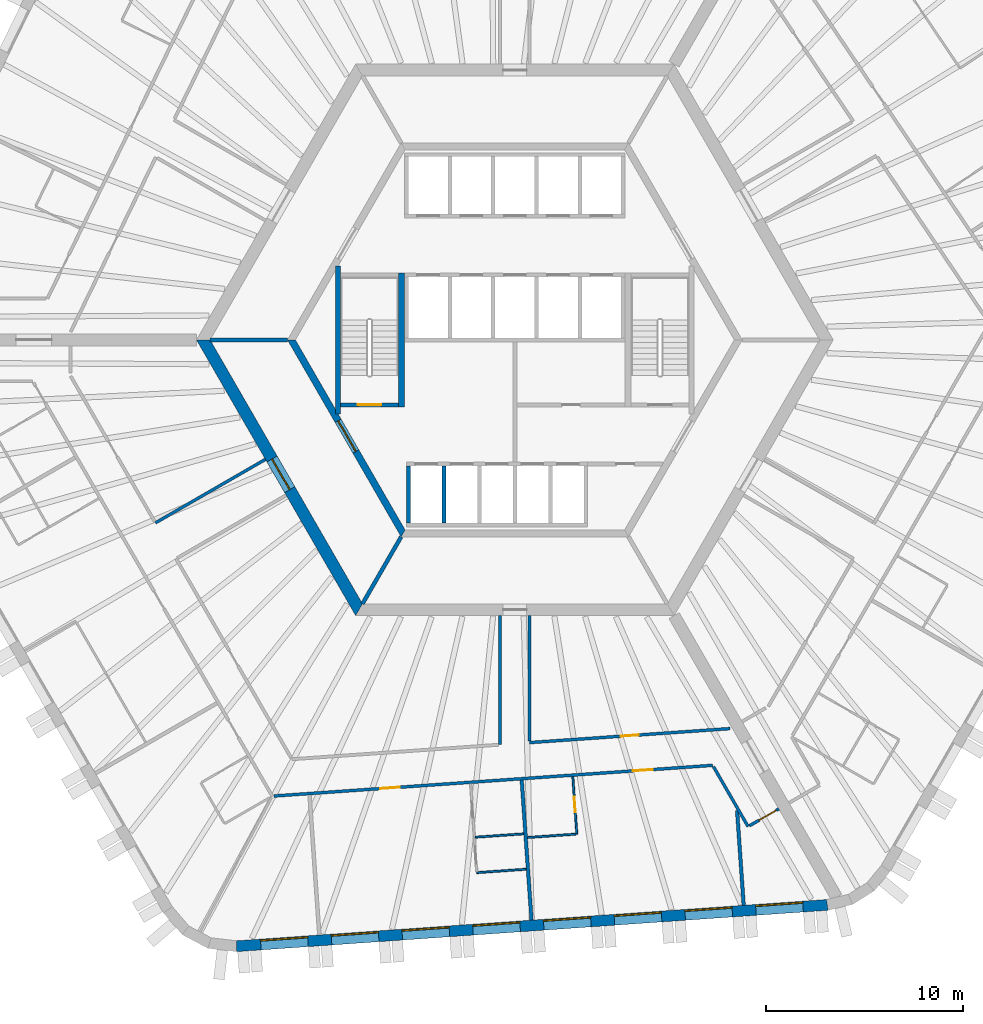
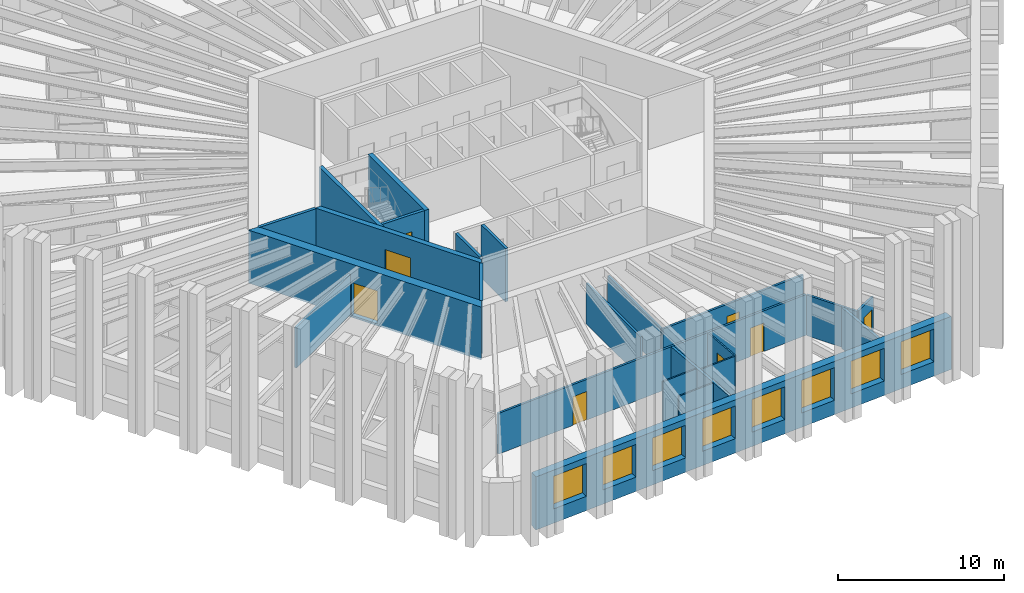
# One storey, part 4 of 12: 23 walls, 8 doors, 8 windows, 16 openings.
"""IFC4 building model written with IfcOpenShell, lengths in metres."""

from ifc_helpers import new_model, si_unit, direction, frame, frame_2d, origin, place, context, subcontext, project, spatial, polyline, rectangle, outline, extrude, material, layer, layer_set, type_object, element, fill, save


model = new_model("IFC4")

# Units and contexts
model_context = context("Model", 3, precision=1e-05, world=origin(), true_north=direction((0.0, 1.0)))
body_context = subcontext(model_context, "Body", "Model", "MODEL_VIEW")
ifc_project = project(units=[si_unit("LENGTHUNIT", "METRE"), si_unit("AREAUNIT", "SQUARE_METRE"), si_unit("VOLUMEUNIT", "CUBIC_METRE"), si_unit("PLANEANGLEUNIT", "RADIAN"), si_unit("MASSUNIT", "GRAM", prefix="KILO")], contexts=[model_context])

# Site, building, storey
site_placement = place(None, origin())
site = spatial("IfcSite", under=ifc_project, at=site_placement, CompositionType="ELEMENT")
building_placement = place(site_placement, origin())
building = spatial("IfcBuilding", under=site, at=building_placement, Name="Tarnside Tower", CompositionType="ELEMENT")
storey_placement = place(building_placement, frame((0.0, 0.0, 99.89990234375)))
storey = spatial("IfcBuildingStorey", under=building, at=storey_placement, Name="L22", CompositionType="ELEMENT", Elevation=99.89990234375)

# Wall
ifc_material_1 = material(Name="Gypsum board partition on steel studs", Category="steel")
ifc_layer_1 = layer(ifc_material_1, 0.10009765625)
ifc_layer_set_1 = layer_set([ifc_layer_1], Name="Bathroom wall 100")
wall_type_1 = type_object("IfcWallType", Name="Bathroom wall 100", PredefinedType="PARTITIONING", material=ifc_layer_set_1)
wall_1_placement = place(storey_placement, frame((-2.004638671875, -25.251220703125, 0.0), z_axis=(0.0, 0.0, 1.0), x_axis=(0.997570291305, 0.069667165191, 0.0)))
element("IfcWall", 1, at=wall_1_placement, inside=storey, type_object=wall_type_1, Name="Bathroom wall 07124", PredefinedType="PARTITIONING", context=body_context, shape_type="SweptSolid", body=[
    extrude(rectangle(XDim=2.4599609375, YDim=0.10009765625, at=frame_2d((1.22998046875, 0.0))), origin(), (0.0, 0.0, 1.0), 2.98779296875),
])

# Wall, opening, door
wall_2_placement = place(storey_placement, frame((2.94287109375, -22.173828125, 0.0), z_axis=(0.0, 0.0, 1.0), x_axis=(0.069781781132, -0.997562280272, 0.0)))
wall_2 = element("IfcWall", 2, at=wall_2_placement, inside=storey, type_object=wall_type_1, Name="Bathroom wall 07128", PredefinedType="PARTITIONING", context=body_context, shape_type="SweptSolid", body=[
    extrude(rectangle(XDim=2.9248046875, YDim=0.10009765625, at=frame_2d((1.46240234375, 0.0))), origin(), (0.0, 0.0, 1.0), 2.98779296875),
])
opening_1_placement = place(wall_2_placement, frame((1.02490234375, 0.0, 0.0)))
opening_1 = element("IfcOpeningElement", 3, at=opening_1_placement, cuts=wall_2, Name="Opening D-B1", PredefinedType="OPENING", context=body_context, shape_type="SweptSolid", body=[
    extrude(rectangle(XDim=0.800048828125, YDim=2.10009765625, at=frame_2d((0.39990234375, 1.050048828125))), frame((0.0, 0.06005859375, 0.0), z_axis=(0.0, -1.0, 0.0), x_axis=(1.0, 0.0, 0.0)), (0.0, 0.0, 1.0), 0.1201171875),
])
ifc_material_2 = material(Name="Timber door leaf", Category="wood")
door_type_1 = type_object("IfcDoorType", Name="Bathroom door 800", OperationType="NOTDEFINED", PredefinedType="DOOR", material=ifc_material_2)
door_1_placement = place(opening_1_placement, origin())
door_1 = element("IfcDoor", 4, at=door_1_placement, inside=storey, type_object=door_type_1, Name="Bathroom door 07027", OperationType="SINGLE_SWING_RIGHT", OverallHeight=2.10009765625, OverallWidth=0.800048828125, PredefinedType="DOOR", context=body_context, shape_type="SweptSolid", body=[
    extrude(rectangle(XDim=0.800048828125, YDim=2.10009765625, at=frame_2d((0.39990234375, 1.050048828125))), frame((0.0, 0.02490234375, 0.0), z_axis=(0.0, -1.0, 0.0), x_axis=(1.0, 0.0, 0.0)), (0.0, 0.0, 1.0), 0.050048828125),
])
fill(opening_1, door_1)

# Wall
wall_3_placement = place(storey_placement, frame((3.096923828125, -25.094970703125, 0.0), z_axis=(0.0, 0.0, 1.0), x_axis=(-0.997562906323, -0.069772830877, 0.0)))
element("IfcWall", 5, at=wall_3_placement, inside=storey, type_object=wall_type_1, Name="Bathroom wall 07129", PredefinedType="PARTITIONING", context=body_context, shape_type="SweptSolid", body=[
    extrude(rectangle(XDim=2.4599609375, YDim=0.10009765625, at=frame_2d((1.22998046875, 0.0))), origin(), (0.0, 0.0, 1.0), 2.98779296875),
])

# Wall, opening, door
ifc_material_3 = material(Name="Concrete C50/60", Category="concrete")
ifc_layer_2 = layer(ifc_material_3, 0.35009765625)
ifc_layer_set_2 = layer_set([ifc_layer_2], Name="Core block wall 350 C50/60")
wall_type_2 = type_object("IfcWallType", Name="Core block wall 350 C50/60", PredefinedType="SHEAR", material=ifc_layer_set_2)
wall_4_placement = place(storey_placement, frame((-11.344970703125, 0.0, -0.14990234375), z_axis=(0.0, 0.0, 1.0), x_axis=(0.499995046907, -0.866028263435, 0.0)))
wall_4 = element("IfcWall", 6, at=wall_4_placement, inside=storey, type_object=wall_type_2, Name="L22 core block wall face 3", PredefinedType="SHEAR", context=body_context, shape_type="SweptSolid", body=[
    extrude(outline(polyline([(-0.10107421875, -0.175048828125), (11.44580078125, -0.175048828125), (11.24365234375, 0.175048828125), (0.10107421875, 0.175048828125), (-0.10107421875, -0.175048828125)])), origin(), (0.0, 0.0, 1.0), 3.89990234375),
])
opening_2_placement = place(wall_4_placement, frame((4.74365234375, 0.0, 0.14990234375)))
opening_2 = element("IfcOpeningElement", 7, at=opening_2_placement, cuts=wall_4, Name="Opening CD-FFL", PredefinedType="OPENING", context=body_context, shape_type="SweptSolid", body=[
    extrude(rectangle(XDim=1.800048828125, YDim=2.39990234375, at=frame_2d((0.89990234375, 1.199951171875))), frame((0.0, 0.18505859375, 0.0), z_axis=(0.0, -1.0, 0.0), x_axis=(1.0, 0.0, 0.0)), (0.0, 0.0, 1.0), 0.3701171875),
])
ifc_material_4 = material(Name="Steel fire door", Category="steel")
door_type_2 = type_object("IfcDoorType", Name="Firefighting lobby double door FD60S 1800x2400", OperationType="NOTDEFINED", PredefinedType="DOOR", material=ifc_material_4)
door_2_placement = place(opening_2_placement, origin())
door_2 = element("IfcDoor", 8, at=door_2_placement, inside=storey, type_object=door_type_2, Name="L22 lobby block door P3", OperationType="DOUBLE_DOOR_SINGLE_SWING", OverallHeight=2.39990234375, OverallWidth=1.800048828125, PredefinedType="DOOR", context=body_context, shape_type="SweptSolid", body=[
    extrude(rectangle(XDim=1.800048828125, YDim=2.39990234375, at=frame_2d((0.89990234375, 1.199951171875))), frame((0.0, 0.02490234375, 0.0), z_axis=(0.0, -1.0, 0.0), x_axis=(1.0, 0.0, 0.0)), (0.0, 0.0, 1.0), 0.050048828125),
])
fill(opening_2, door_2)

ifc_material_5 = material(Name="Concrete C80/95", Category="concrete")
ifc_layer_3 = layer(ifc_material_5, 0.60009765625)
ifc_layer_set_3 = layer_set([ifc_layer_3], Name="Core wall Z1 600 C80/95")
wall_type_3 = type_object("IfcWallType", Name="Core wall Z1 600 C80/95", PredefinedType="SHEAR", material=ifc_layer_set_3)
wall_5_placement = place(storey_placement, frame((-15.8193359375, 0.0, -0.14990234375), z_axis=(0.0, 0.0, 1.0), x_axis=(0.499999880136, -0.866025472988, 0.0)))
wall_5 = element("IfcWall", 9, at=wall_5_placement, inside=storey, type_object=wall_type_3, Name="L22 core wall face 3", PredefinedType="SHEAR", context=body_context, shape_type="SweptSolid", body=[
    extrude(outline(polyline([(-0.17333984375, -0.300048828125), (15.99267578125, -0.300048828125), (15.64599609375, 0.300048828125), (0.17333984375, 0.300048828125), (-0.17333984375, -0.300048828125)])), origin(), (0.0, 0.0, 1.0), 3.89990234375),
])
opening_3_placement = place(wall_5_placement, frame((6.980712890625, 0.0, 0.14990234375)))
opening_3 = element("IfcOpeningElement", 10, at=opening_3_placement, cuts=wall_5, Name="Opening CD-FFL", PredefinedType="OPENING", context=body_context, shape_type="SweptSolid", body=[
    extrude(rectangle(XDim=1.800048828125, YDim=2.39990234375, at=frame_2d((0.89990234375, 1.199951171875))), frame((0.0, 0.31005859375, 0.0), z_axis=(0.0, -1.0, 0.0), x_axis=(1.0, 0.0, 0.0)), (0.0, 0.0, 1.0), 0.6201171875),
])
door_3_placement = place(opening_3_placement, origin())
door_3 = element("IfcDoor", 11, at=door_3_placement, inside=storey, type_object=door_type_2, Name="L22 core door P3", OperationType="DOUBLE_DOOR_SINGLE_SWING", OverallHeight=2.39990234375, OverallWidth=1.800048828125, PredefinedType="DOOR", context=body_context, shape_type="SweptSolid", body=[
    extrude(rectangle(XDim=1.800048828125, YDim=2.39990234375, at=frame_2d((0.89990234375, 1.199951171875))), frame((0.0, 0.02490234375, 0.0), z_axis=(0.0, -1.0, 0.0), x_axis=(1.0, 0.0, 0.0)), (0.0, 0.0, 1.0), 0.050048828125),
])
fill(opening_3, door_3)

# Wall, openings, doors
ifc_layer_4 = layer(ifc_material_1, 0.14990234375)
ifc_layer_set_4 = layer_set([ifc_layer_4], Name="Corridor wall 150 EI 60")
wall_type_4 = type_object("IfcWallType", Name="Corridor wall 150 EI 60", PredefinedType="PARTITIONING", material=ifc_layer_set_4)
wall_6_placement = place(storey_placement, frame((-12.234130859375, -23.159912109375, 0.0), z_axis=(0.0, 0.0, 1.0), x_axis=(0.997563845372, 0.069759403714, 0.0)))
wall_6 = element("IfcWall", 12, at=wall_6_placement, inside=storey, type_object=wall_type_4, Name="Corridor wall 07035", PredefinedType="PARTITIONING", context=body_context, shape_type="SweptSolid", body=[
    extrude(rectangle(XDim=22.33544921875, YDim=0.14990234375, at=frame_2d((11.167724609375, 0.0))), origin(), (0.0, 0.0, 1.0), 2.98779296875),
])
opening_4_placement = place(wall_6_placement, frame((5.40869140625, 0.0, 0.0)))
opening_4 = element("IfcOpeningElement", 13, at=opening_4_placement, cuts=wall_6, Name="Opening D-E1", PredefinedType="OPENING", context=body_context, shape_type="SweptSolid", body=[
    extrude(rectangle(XDim=1.0, YDim=2.10009765625, at=frame_2d((0.5, 1.050048828125))), frame((0.0, 0.0849609375, 0.0), z_axis=(0.0, -1.0, 0.0), x_axis=(1.0, 0.0, 0.0)), (0.0, 0.0, 1.0), 0.169921875),
])
opening_5_placement = place(wall_6_placement, frame((18.272216796875, 0.0, 0.0)))
opening_5 = element("IfcOpeningElement", 14, at=opening_5_placement, cuts=wall_6, Name="Opening D-E1", PredefinedType="OPENING", context=body_context, shape_type="SweptSolid", body=[
    extrude(rectangle(XDim=1.0, YDim=2.10009765625, at=frame_2d((0.5, 1.050048828125))), frame((0.0, 0.0849609375, 0.0), z_axis=(0.0, -1.0, 0.0), x_axis=(1.0, 0.0, 0.0)), (0.0, 0.0, 1.0), 0.169921875),
])
door_type_3 = type_object("IfcDoorType", Name="Unit entrance door 1000 FD30S", OperationType="NOTDEFINED", PredefinedType="DOOR", material=ifc_material_2)
door_4_placement = place(opening_4_placement, origin())
door_4 = element("IfcDoor", 15, at=door_4_placement, inside=storey, type_object=door_type_3, Name="Unit door 07023", OperationType="SINGLE_SWING_LEFT", OverallHeight=2.10009765625, OverallWidth=1.0, PredefinedType="DOOR", context=body_context, shape_type="SweptSolid", body=[
    extrude(rectangle(XDim=1.0, YDim=2.10009765625, at=frame_2d((0.5, 1.050048828125))), frame((0.0, 0.02490234375, 0.0), z_axis=(0.0, -1.0, 0.0), x_axis=(1.0, 0.0, 0.0)), (0.0, 0.0, 1.0), 0.050048828125),
])
fill(opening_4, door_4)
door_5_placement = place(opening_5_placement, origin())
door_5 = element("IfcDoor", 16, at=door_5_placement, inside=storey, type_object=door_type_3, Name="Unit door 07026", OperationType="SINGLE_SWING_RIGHT", OverallHeight=2.10009765625, OverallWidth=1.0, PredefinedType="DOOR", context=body_context, shape_type="SweptSolid", body=[
    extrude(rectangle(XDim=1.0, YDim=2.10009765625, at=frame_2d((0.5, 1.050048828125))), frame((0.0, 0.02490234375, 0.0), z_axis=(0.0, -1.0, 0.0), x_axis=(1.0, 0.0, 0.0)), (0.0, 0.0, 1.0), 0.050048828125),
])
fill(opening_5, door_5)

# Wall
wall_7_placement = place(storey_placement, frame((10.088623046875, -21.674072265625, 0.0), z_axis=(0.0, 0.0, 1.0), x_axis=(0.500003763204, -0.866023231087, 0.0)))
element("IfcWall", 17, at=wall_7_placement, inside=storey, type_object=wall_type_4, Name="Corridor wall 07039", PredefinedType="PARTITIONING", context=body_context, shape_type="SweptSolid", body=[
    extrude(rectangle(XDim=3.505859375, YDim=0.14990234375, at=frame_2d((1.7529296875, 0.0))), origin(), (0.0, 0.0, 1.0), 2.98779296875),
])

# Wall, opening, door
wall_8_placement = place(storey_placement, frame((11.906494140625, -24.672607421875, 0.0), z_axis=(0.0, 0.0, 1.0), x_axis=(0.866013532718, 0.500020560727, 0.0)))
wall_8 = element("IfcWall", 18, at=wall_8_placement, inside=storey, type_object=wall_type_4, Name="Corridor wall 07042", PredefinedType="PARTITIONING", context=body_context, shape_type="SweptSolid", body=[
    extrude(rectangle(XDim=1.72509765625, YDim=0.14990234375, at=frame_2d((0.862548828125, 0.0))), origin(), (0.0, 0.0, 1.0), 2.98779296875),
])
opening_6_placement = place(wall_8_placement, frame((0.574951171875, 0.0, 0.0)))
opening_6 = element("IfcOpeningElement", 19, at=opening_6_placement, cuts=wall_8, Name="Opening D-E1", PredefinedType="OPENING", context=body_context, shape_type="SweptSolid", body=[
    extrude(rectangle(XDim=1.0, YDim=2.10009765625, at=frame_2d((0.5, 1.050048828125))), frame((0.0, 0.0849609375, 0.0), z_axis=(0.0, -1.0, 0.0), x_axis=(1.0, 0.0, 0.0)), (0.0, 0.0, 1.0), 0.169921875),
])
door_6_placement = place(opening_6_placement, origin())
door_6 = element("IfcDoor", 20, at=door_6_placement, inside=storey, type_object=door_type_3, Name="Unit door 07028", OperationType="SINGLE_SWING_LEFT", OverallHeight=2.10009765625, OverallWidth=1.0, PredefinedType="DOOR", context=body_context, shape_type="SweptSolid", body=[
    extrude(rectangle(XDim=1.0, YDim=2.10009765625, at=frame_2d((0.5, 1.050048828125))), frame((0.0, 0.02490234375, 0.0), z_axis=(0.0, -1.0, 0.0), x_axis=(1.0, 0.0, 0.0)), (0.0, 0.0, 1.0), 0.050048828125),
])
fill(opening_6, door_6)

# Walls
wall_9_placement = place(storey_placement, frame((-12.663818359375, -6.065673828125, 0.0), z_axis=(0.0, 0.0, 1.0), x_axis=(-0.866021702275, -0.500006411147, 0.0)))
element("IfcWall", 21, at=wall_9_placement, inside=storey, type_object=wall_type_4, Name="Corridor wall 07043", PredefinedType="PARTITIONING", context=body_context, shape_type="SweptSolid", body=[
    extrude(rectangle(XDim=6.4501953125, YDim=0.14990234375, at=frame_2d((3.22509765625, 0.0))), origin(), (0.0, 0.0, 1.0), 2.98779296875),
])
wall_10_placement = place(storey_placement, frame((-0.75, -14.0, 0.0), z_axis=(0.0, 0.0, 1.0), x_axis=(0.0, -1.0, 0.0)))
element("IfcWall", 22, at=wall_10_placement, inside=storey, type_object=wall_type_4, Name="Corridor wall 07046", PredefinedType="PARTITIONING", context=body_context, shape_type="SweptSolid", body=[
    extrude(rectangle(XDim=6.552490234375, YDim=0.14990234375, at=frame_2d((3.2763671875, 0.0))), origin(), (0.0, 0.0, 1.0), 2.98779296875),
])

# Wall, opening, door
wall_11_placement = place(storey_placement, frame((10.921142578125, -19.736328125, 0.0), z_axis=(0.0, 0.0, 1.0), x_axis=(-0.997564418338, -0.069751209779, 0.0)))
wall_11 = element("IfcWall", 23, at=wall_11_placement, inside=storey, type_object=wall_type_4, Name="Corridor wall 07050", PredefinedType="PARTITIONING", context=body_context, shape_type="SweptSolid", body=[
    extrude(rectangle(XDim=10.196044921875, YDim=0.14990234375, at=frame_2d((5.09814453125, 0.0))), origin(), (0.0, 0.0, 1.0), 2.98779296875),
])
opening_7_placement = place(wall_11_placement, frame((4.64794921875, 0.0, 0.0)))
opening_7 = element("IfcOpeningElement", 24, at=opening_7_placement, cuts=wall_11, Name="Opening D-S1", PredefinedType="OPENING", context=body_context, shape_type="SweptSolid", body=[
    extrude(rectangle(XDim=0.89990234375, YDim=2.10009765625, at=frame_2d((0.449951171875, 1.050048828125))), frame((0.0, 0.0849609375, 0.0), z_axis=(0.0, -1.0, 0.0), x_axis=(1.0, 0.0, 0.0)), (0.0, 0.0, 1.0), 0.169921875),
])
door_type_4 = type_object("IfcDoorType", Name="Service room door 900 FD30S", OperationType="NOTDEFINED", PredefinedType="DOOR", material=ifc_material_2)
door_7_placement = place(opening_7_placement, origin())
door_7 = element("IfcDoor", 25, at=door_7_placement, inside=storey, type_object=door_type_4, Name="Service door 07047", OperationType="SINGLE_SWING_LEFT", OverallHeight=2.10009765625, OverallWidth=0.89990234375, PredefinedType="DOOR", context=body_context, shape_type="SweptSolid", body=[
    extrude(rectangle(XDim=0.89990234375, YDim=2.10009765625, at=frame_2d((0.449951171875, 1.050048828125))), frame((0.0, 0.02490234375, 0.0), z_axis=(0.0, -1.0, 0.0), x_axis=(1.0, 0.0, 0.0)), (0.0, 0.0, 1.0), 0.050048828125),
])
fill(opening_7, door_7)

# Walls
wall_12_placement = place(storey_placement, frame((0.75, -20.372314453125, 0.0), z_axis=(0.0, 0.0, 1.0), x_axis=(0.0, 1.0, 0.0)))
element("IfcWall", 26, at=wall_12_placement, inside=storey, type_object=wall_type_4, Name="Corridor wall 07051", PredefinedType="PARTITIONING", context=body_context, shape_type="SweptSolid", body=[
    extrude(rectangle(XDim=6.372314453125, YDim=0.14990234375, at=frame_2d((3.18603515625, 0.0))), origin(), (0.0, 0.0, 1.0), 2.98779296875),
])
ifc_layer_5 = layer(ifc_material_1, 0.179931640625)
ifc_layer_set_5 = layer_set([ifc_layer_5], Name="Demising wall 180 EI 60")
wall_type_5 = type_object("IfcWallType", Name="Demising wall 180 EI 60", PredefinedType="PARTITIONING", material=ifc_layer_set_5)
wall_13_placement = place(storey_placement, frame((0.84619140625, -29.462646484375, 0.0), z_axis=(0.0, 0.0, 1.0), x_axis=(-0.069764000094, 0.997563523938, 0.0)))
element("IfcWall", 27, at=wall_13_placement, inside=storey, type_object=wall_type_5, Name="Demising wall 07123", PredefinedType="PARTITIONING", context=body_context, shape_type="SweptSolid", body=[
    extrude(rectangle(XDim=7.125, YDim=0.179931640625, at=frame_2d((3.5625, 0.0))), origin(), (0.0, 0.0, 1.0), 2.98779296875),
])
wall_14_placement = place(storey_placement, frame((11.619873046875, -28.70947265625, 0.0), z_axis=(0.0, 0.0, 1.0), x_axis=(-0.069777301394, 0.99756259363, 0.0)))
element("IfcWall", 28, at=wall_14_placement, inside=storey, type_object=wall_type_5, Name="Demising wall 07130", PredefinedType="PARTITIONING", context=body_context, shape_type="SweptSolid", body=[
    extrude(rectangle(XDim=4.828369140625, YDim=0.179931640625, at=frame_2d((2.4140625, 0.0))), origin(), (0.0, 0.0, 1.0), 2.98779296875),
])
ifc_material_6 = material(Name="Concrete C40/50", Category="concrete")
ifc_layer_6 = layer(ifc_material_6, 0.199951171875)
ifc_layer_set_6 = layer_set([ifc_layer_6], Name="Lift shaft wall 200 C40/50")
wall_type_6 = type_object("IfcWallType", Name="Lift shaft wall 200 C40/50", PredefinedType="SHEAR", material=ifc_layer_set_6)
for number, where, z_axis, x_axis, name in (
    (29, (-5.39990234375, -9.300048828125, -0.25), (0.0, 0.0, 1.0), (0.0, 1.0, 0.0), "L22 lift shaft partition R41"),
    (30, (-3.60009765625, -9.300048828125, -0.25), (0.0, 0.0, 1.0), (0.0, 1.0, 0.0), "L22 lift shaft partition R42"),
):
    element("IfcWall", number, at=place(storey_placement, frame(where, z_axis=z_axis, x_axis=x_axis)), inside=storey, type_object=wall_type_6, Name=name, PredefinedType="SHEAR", context=body_context, shape_type="SweptSolid", body=[
        extrude(rectangle(XDim=2.900146484375, YDim=0.199951171875, at=frame_2d((1.4501953125, 0.0))), origin(), (0.0, 0.0, 1.0), 3.900146484375),
    ])
wall_15_placement = place(storey_placement, frame((-11.547119140625, 0.0, -0.14990234375), z_axis=(0.0, 0.0, 1.0), x_axis=(-1.0, 0.0, 0.0)))
element("IfcWall", 31, at=wall_15_placement, inside=storey, type_object=wall_type_6, Name="L22 core partition AR180", PredefinedType="SHEAR", context=body_context, shape_type="SweptSolid", body=[
    extrude(rectangle(XDim=3.92578125, YDim=0.199951171875, at=frame_2d((1.962890625, 0.0))), origin(), (0.0, 0.0, 1.0), 3.89990234375),
])
wall_16_placement = place(storey_placement, frame((-5.7734375, -10.0, -0.14990234375), z_axis=(0.0, 0.0, 1.0), x_axis=(-0.500038251005, -0.86600331843, 0.0)))
element("IfcWall", 32, at=wall_16_placement, inside=storey, type_object=wall_type_6, Name="L22 core partition AR240", PredefinedType="SHEAR", context=body_context, shape_type="SweptSolid", body=[
    extrude(rectangle(XDim=3.926025390625, YDim=0.199951171875, at=frame_2d((1.962890625, 0.0))), origin(), (0.0, 0.0, 1.0), 3.89990234375),
])

# Wall, opening, door
wall_17_placement = place(storey_placement, frame((-8.85009765625, -3.300048828125, -0.25), z_axis=(0.0, 0.0, 1.0), x_axis=(1.0, 0.0, 0.0)))
wall_17 = element("IfcWall", 33, at=wall_17_placement, inside=storey, type_object=wall_type_6, Name="L22 stair 2 enclosure cap wall s", PredefinedType="SHEAR", context=body_context, shape_type="SweptSolid", body=[
    extrude(rectangle(XDim=2.9501953125, YDim=0.199951171875, at=frame_2d((1.47509765625, 0.0))), origin(), (0.0, 0.0, 1.0), 3.900146484375),
])
opening_8_placement = place(wall_17_placement, frame((0.875, 0.0, 0.25)))
opening_8 = element("IfcOpeningElement", 34, at=opening_8_placement, cuts=wall_17, Name="Opening CD-STR", PredefinedType="OPENING", context=body_context, shape_type="SweptSolid", body=[
    extrude(rectangle(XDim=1.199951171875, YDim=2.39990234375, at=frame_2d((0.60009765625, 1.199951171875))), frame((0.0, 0.10986328125, 0.0), z_axis=(0.0, -1.0, 0.0), x_axis=(1.0, 0.0, 0.0)), (0.0, 0.0, 1.0), 0.219970703125),
])
door_type_5 = type_object("IfcDoorType", Name="Stair door FD60S 1200x2400", OperationType="NOTDEFINED", PredefinedType="DOOR", material=ifc_material_4)
door_8_placement = place(opening_8_placement, origin())
door_8 = element("IfcDoor", 35, at=door_8_placement, inside=storey, type_object=door_type_5, Name="L22 stair 2 door", OperationType="SINGLE_SWING_LEFT", OverallHeight=2.39990234375, OverallWidth=1.199951171875, PredefinedType="DOOR", context=body_context, shape_type="SweptSolid", body=[
    extrude(rectangle(XDim=1.199951171875, YDim=2.39990234375, at=frame_2d((0.60009765625, 1.199951171875))), frame((0.0, 0.02490234375, 0.0), z_axis=(0.0, -1.0, 0.0), x_axis=(1.0, 0.0, 0.0)), (0.0, 0.0, 1.0), 0.050048828125),
])
fill(opening_8, door_8)

# Walls
ifc_layer_7 = layer(ifc_material_1, 0.10009765625)
ifc_layer_set_7 = layer_set([ifc_layer_7], Name="Partition 100")
wall_type_7 = type_object("IfcWallType", Name="Partition 100", PredefinedType="PARTITIONING", material=ifc_layer_set_7)
wall_18_placement = place(storey_placement, frame((0.574951171875, -26.875244140625, 0.0), z_axis=(0.0, 0.0, 1.0), x_axis=(-0.997558425079, -0.069836871022, 0.0)))
element("IfcWall", 36, at=wall_18_placement, inside=storey, type_object=wall_type_7, Name="Partition wall 07121", PredefinedType="PARTITIONING", context=body_context, shape_type="SweptSolid", body=[
    extrude(rectangle(XDim=2.510009765625, YDim=0.10009765625, at=frame_2d((1.2548828125, 0.0))), origin(), (0.0, 0.0, 1.0), 2.98779296875),
])
ifc_layer_8 = layer(ifc_material_6, 0.25)
ifc_layer_set_8 = layer_set([ifc_layer_8], Name="Stair enclosure wall 250 C40/50")
wall_type_8 = type_object("IfcWallType", Name="Stair enclosure wall 250 C40/50", PredefinedType="SHEAR", material=ifc_layer_set_8)
wall_19_placement = place(storey_placement, frame((-8.97509765625, -3.7548828125, -0.25), z_axis=(0.0, 0.0, 1.0), x_axis=(0.0, 1.0, 0.0)))
element("IfcWall", 37, at=wall_19_placement, inside=storey, type_object=wall_type_8, Name="L22 stair 2 enclosure wall outer", PredefinedType="SHEAR", context=body_context, shape_type="SweptSolid", body=[
    extrude(rectangle(XDim=7.509765625, YDim=0.25, at=frame_2d((3.7548828125, 0.0))), origin(), (0.0, 0.0, 1.0), 3.900146484375),
])
ifc_layer_9 = layer(ifc_material_6, 0.300048828125)
ifc_layer_set_9 = layer_set([ifc_layer_9], Name="Stair enclosure wall 300 C40/50")
wall_type_9 = type_object("IfcWallType", Name="Stair enclosure wall 300 C40/50", PredefinedType="SHEAR", material=ifc_layer_set_9)
wall_20_placement = place(storey_placement, frame((-5.75, -3.39990234375, -0.25), z_axis=(0.0, 0.0, 1.0), x_axis=(0.0, 1.0, 0.0)))
element("IfcWall", 38, at=wall_20_placement, inside=storey, type_object=wall_type_9, Name="L22 stair 2 enclosure wall inner", PredefinedType="SHEAR", context=body_context, shape_type="SweptSolid", body=[
    extrude(rectangle(XDim=6.7998046875, YDim=0.300048828125, at=frame_2d((3.39990234375, 0.0))), origin(), (0.0, 0.0, 1.0), 3.900146484375),
])

# Wall, openings, windows
ifc_material_7 = material(Name="Facing brick", Category="masonry")
ifc_layer_10 = layer(ifc_material_7, 0.10205078125)
ifc_material_8 = material(Name="Concrete C60/75 precast", Category="concrete")
ifc_layer_11 = layer(ifc_material_8, 0.347900390625)
ifc_material_9 = material(Name="Mineral wool insulation")
ifc_layer_12 = layer(ifc_material_9, 0.10009765625)
ifc_layer_set_10 = layer_set([ifc_layer_10, ifc_layer_11, ifc_layer_12], Name="Tube wall 550 brick faced")
wall_type_10 = type_object("IfcWallType", Name="Tube wall 550 brick faced", PredefinedType="SOLIDWALL", material=ifc_layer_set_10)
wall_21_placement = place(storey_placement, frame((-14.133544921875, -30.785888671875, -0.14990234375), z_axis=(0.0, 0.0, 1.0), x_axis=(0.997564037441, 0.069756657061, 0.0)))
wall_21 = element("IfcWall", 39, at=wall_21_placement, inside=storey, type_object=wall_type_10, Name="Tube wall L22 F4 flush 12", PredefinedType="SOLIDWALL", context=body_context, shape_type="SweptSolid", body=[
    extrude(outline(polyline([(-0.025634765625, -0.27490234375), (30.093505859375, -0.27490234375), (30.048583984375, 0.27490234375), (0.025634765625, 0.27490234375), (-0.025634765625, -0.27490234375)])), origin(), (0.0, 0.0, 1.0), 3.89990234375),
])
opening_9_placement = place(wall_21_placement, frame((1.235595703125, 0.0, 1.050048828125)))
opening_9 = element("IfcOpeningElement", 40, at=opening_9_placement, cuts=wall_21, Name="Opening WH", PredefinedType="OPENING", context=body_context, shape_type="SweptSolid", body=[
    extrude(rectangle(XDim=2.39990234375, YDim=2.39990234375, at=frame_2d((1.199951171875, 1.199951171875))), frame((0.0, 0.28515625, 0.0), z_axis=(0.0, -1.0, 0.0), x_axis=(1.0, 0.0, 0.0)), (0.0, 0.0, 1.0), 0.570068359375),
])
opening_10_placement = place(wall_21_placement, frame((4.83544921875, 0.0, 1.050048828125)))
opening_10 = element("IfcOpeningElement", 41, at=opening_10_placement, cuts=wall_21, Name="Opening WH", PredefinedType="OPENING", context=body_context, shape_type="SweptSolid", body=[
    extrude(rectangle(XDim=2.39990234375, YDim=2.39990234375, at=frame_2d((1.199951171875, 1.199951171875))), frame((0.0, 0.28515625, 0.0), z_axis=(0.0, -1.0, 0.0), x_axis=(1.0, 0.0, 0.0)), (0.0, 0.0, 1.0), 0.570068359375),
])
opening_11_placement = place(wall_21_placement, frame((8.435546875, 0.0, 1.050048828125)))
opening_11 = element("IfcOpeningElement", 42, at=opening_11_placement, cuts=wall_21, Name="Opening WH", PredefinedType="OPENING", context=body_context, shape_type="SweptSolid", body=[
    extrude(rectangle(XDim=2.39990234375, YDim=2.39990234375, at=frame_2d((1.199951171875, 1.199951171875))), frame((0.0, 0.28515625, 0.0), z_axis=(0.0, -1.0, 0.0), x_axis=(1.0, 0.0, 0.0)), (0.0, 0.0, 1.0), 0.570068359375),
])
opening_12_placement = place(wall_21_placement, frame((12.035400390625, 0.0, 1.050048828125)))
opening_12 = element("IfcOpeningElement", 43, at=opening_12_placement, cuts=wall_21, Name="Opening WH", PredefinedType="OPENING", context=body_context, shape_type="SweptSolid", body=[
    extrude(rectangle(XDim=2.39990234375, YDim=2.39990234375, at=frame_2d((1.199951171875, 1.199951171875))), frame((0.0, 0.28515625, 0.0), z_axis=(0.0, -1.0, 0.0), x_axis=(1.0, 0.0, 0.0)), (0.0, 0.0, 1.0), 0.570068359375),
])
opening_13_placement = place(wall_21_placement, frame((15.635498046875, 0.0, 1.050048828125)))
opening_13 = element("IfcOpeningElement", 44, at=opening_13_placement, cuts=wall_21, Name="Opening WH", PredefinedType="OPENING", context=body_context, shape_type="SweptSolid", body=[
    extrude(rectangle(XDim=2.39990234375, YDim=2.39990234375, at=frame_2d((1.199951171875, 1.199951171875))), frame((0.0, 0.28515625, 0.0), z_axis=(0.0, -1.0, 0.0), x_axis=(1.0, 0.0, 0.0)), (0.0, 0.0, 1.0), 0.570068359375),
])
opening_14_placement = place(wall_21_placement, frame((19.235595703125, 0.0, 1.050048828125)))
opening_14 = element("IfcOpeningElement", 45, at=opening_14_placement, cuts=wall_21, Name="Opening WH", PredefinedType="OPENING", context=body_context, shape_type="SweptSolid", body=[
    extrude(rectangle(XDim=2.39990234375, YDim=2.39990234375, at=frame_2d((1.199951171875, 1.199951171875))), frame((0.0, 0.28515625, 0.0), z_axis=(0.0, -1.0, 0.0), x_axis=(1.0, 0.0, 0.0)), (0.0, 0.0, 1.0), 0.570068359375),
])
opening_15_placement = place(wall_21_placement, frame((22.83544921875, 0.0, 1.050048828125)))
opening_15 = element("IfcOpeningElement", 46, at=opening_15_placement, cuts=wall_21, Name="Opening WH", PredefinedType="OPENING", context=body_context, shape_type="SweptSolid", body=[
    extrude(rectangle(XDim=2.39990234375, YDim=2.39990234375, at=frame_2d((1.199951171875, 1.199951171875))), frame((0.0, 0.28515625, 0.0), z_axis=(0.0, -1.0, 0.0), x_axis=(1.0, 0.0, 0.0)), (0.0, 0.0, 1.0), 0.570068359375),
])
opening_16_placement = place(wall_21_placement, frame((26.435546875, 0.0, 1.050048828125)))
opening_16 = element("IfcOpeningElement", 47, at=opening_16_placement, cuts=wall_21, Name="Opening WH", PredefinedType="OPENING", context=body_context, shape_type="SweptSolid", body=[
    extrude(rectangle(XDim=2.39990234375, YDim=2.39990234375, at=frame_2d((1.199951171875, 1.199951171875))), frame((0.0, 0.28515625, 0.0), z_axis=(0.0, -1.0, 0.0), x_axis=(1.0, 0.0, 0.0)), (0.0, 0.0, 1.0), 0.570068359375),
])
ifc_material_10 = material(Name="Aluminium-framed double glazing", Category="aluminium")
window_type = type_object("IfcWindowType", Name="Hotel window 2400 x 2400", PartitioningType="DOUBLE_PANEL_VERTICAL", PredefinedType="WINDOW", material=ifc_material_10)
window_1_placement = place(opening_9_placement, frame((0.0, 0.205078125, 0.0)))
window_1 = element("IfcWindow", 48, at=window_1_placement, inside=storey, type_object=window_type, Name="E.WN.L22.F4.00", OverallHeight=2.39990234375, OverallWidth=2.39990234375, PartitioningType="DOUBLE_PANEL_VERTICAL", PredefinedType="WINDOW", context=body_context, shape_type="SweptSolid", body=[
    extrude(rectangle(XDim=2.39990234375, YDim=2.39990234375, at=frame_2d((1.199951171875, 1.199951171875))), frame((0.0, 0.030029296875, 0.0), z_axis=(0.0, -1.0, 0.0), x_axis=(1.0, 0.0, 0.0)), (0.0, 0.0, 1.0), 0.06005859375),
])
fill(opening_9, window_1)
window_2_placement = place(opening_10_placement, frame((0.0, 0.205078125, 0.0)))
window_2 = element("IfcWindow", 49, at=window_2_placement, inside=storey, type_object=window_type, Name="E.WN.L22.F4.01", OverallHeight=2.39990234375, OverallWidth=2.39990234375, PartitioningType="DOUBLE_PANEL_VERTICAL", PredefinedType="WINDOW", context=body_context, shape_type="SweptSolid", body=[
    extrude(rectangle(XDim=2.39990234375, YDim=2.39990234375, at=frame_2d((1.199951171875, 1.199951171875))), frame((0.0, 0.030029296875, 0.0), z_axis=(0.0, -1.0, 0.0), x_axis=(1.0, 0.0, 0.0)), (0.0, 0.0, 1.0), 0.06005859375),
])
fill(opening_10, window_2)
window_3_placement = place(opening_11_placement, frame((0.0, 0.205078125, 0.0)))
window_3 = element("IfcWindow", 50, at=window_3_placement, inside=storey, type_object=window_type, Name="E.WN.L22.F4.02", OverallHeight=2.39990234375, OverallWidth=2.39990234375, PartitioningType="DOUBLE_PANEL_VERTICAL", PredefinedType="WINDOW", context=body_context, shape_type="SweptSolid", body=[
    extrude(rectangle(XDim=2.39990234375, YDim=2.39990234375, at=frame_2d((1.199951171875, 1.199951171875))), frame((0.0, 0.030029296875, 0.0), z_axis=(0.0, -1.0, 0.0), x_axis=(1.0, 0.0, 0.0)), (0.0, 0.0, 1.0), 0.06005859375),
])
fill(opening_11, window_3)
window_4_placement = place(opening_12_placement, frame((0.0, 0.205078125, 0.0)))
window_4 = element("IfcWindow", 51, at=window_4_placement, inside=storey, type_object=window_type, Name="E.WN.L22.F4.03", OverallHeight=2.39990234375, OverallWidth=2.39990234375, PartitioningType="DOUBLE_PANEL_VERTICAL", PredefinedType="WINDOW", context=body_context, shape_type="SweptSolid", body=[
    extrude(rectangle(XDim=2.39990234375, YDim=2.39990234375, at=frame_2d((1.199951171875, 1.199951171875))), frame((0.0, 0.030029296875, 0.0), z_axis=(0.0, -1.0, 0.0), x_axis=(1.0, 0.0, 0.0)), (0.0, 0.0, 1.0), 0.06005859375),
])
fill(opening_12, window_4)
window_5_placement = place(opening_13_placement, frame((0.0, 0.205078125, 0.0)))
window_5 = element("IfcWindow", 52, at=window_5_placement, inside=storey, type_object=window_type, Name="E.WN.L22.F4.04", OverallHeight=2.39990234375, OverallWidth=2.39990234375, PartitioningType="DOUBLE_PANEL_VERTICAL", PredefinedType="WINDOW", context=body_context, shape_type="SweptSolid", body=[
    extrude(rectangle(XDim=2.39990234375, YDim=2.39990234375, at=frame_2d((1.199951171875, 1.199951171875))), frame((0.0, 0.030029296875, 0.0), z_axis=(0.0, -1.0, 0.0), x_axis=(1.0, 0.0, 0.0)), (0.0, 0.0, 1.0), 0.06005859375),
])
fill(opening_13, window_5)
window_6_placement = place(opening_14_placement, frame((0.0, 0.205078125, 0.0)))
window_6 = element("IfcWindow", 53, at=window_6_placement, inside=storey, type_object=window_type, Name="E.WN.L22.F4.05", OverallHeight=2.39990234375, OverallWidth=2.39990234375, PartitioningType="DOUBLE_PANEL_VERTICAL", PredefinedType="WINDOW", context=body_context, shape_type="SweptSolid", body=[
    extrude(rectangle(XDim=2.39990234375, YDim=2.39990234375, at=frame_2d((1.199951171875, 1.199951171875))), frame((0.0, 0.030029296875, 0.0), z_axis=(0.0, -1.0, 0.0), x_axis=(1.0, 0.0, 0.0)), (0.0, 0.0, 1.0), 0.06005859375),
])
fill(opening_14, window_6)
window_7_placement = place(opening_15_placement, frame((0.0, 0.205078125, 0.0)))
window_7 = element("IfcWindow", 54, at=window_7_placement, inside=storey, type_object=window_type, Name="E.WN.L22.F4.06", OverallHeight=2.39990234375, OverallWidth=2.39990234375, PartitioningType="DOUBLE_PANEL_VERTICAL", PredefinedType="WINDOW", context=body_context, shape_type="SweptSolid", body=[
    extrude(rectangle(XDim=2.39990234375, YDim=2.39990234375, at=frame_2d((1.199951171875, 1.199951171875))), frame((0.0, 0.030029296875, 0.0), z_axis=(0.0, -1.0, 0.0), x_axis=(1.0, 0.0, 0.0)), (0.0, 0.0, 1.0), 0.06005859375),
])
fill(opening_15, window_7)
window_8_placement = place(opening_16_placement, frame((0.0, 0.205078125, 0.0)))
window_8 = element("IfcWindow", 55, at=window_8_placement, inside=storey, type_object=window_type, Name="E.WN.L22.F4.07", OverallHeight=2.39990234375, OverallWidth=2.39990234375, PartitioningType="DOUBLE_PANEL_VERTICAL", PredefinedType="WINDOW", context=body_context, shape_type="SweptSolid", body=[
    extrude(rectangle(XDim=2.39990234375, YDim=2.39990234375, at=frame_2d((1.199951171875, 1.199951171875))), frame((0.0, 0.030029296875, 0.0), z_axis=(0.0, -1.0, 0.0), x_axis=(1.0, 0.0, 0.0)), (0.0, 0.0, 1.0), 0.06005859375),
])
fill(opening_16, window_8)

save(model, "model.ifc")
